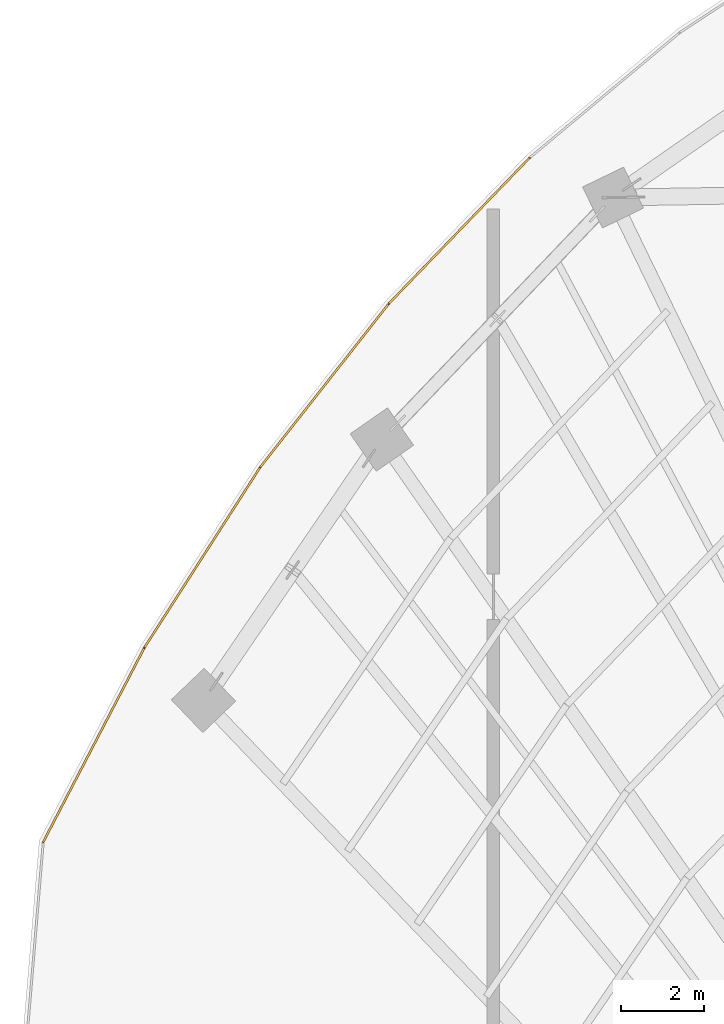
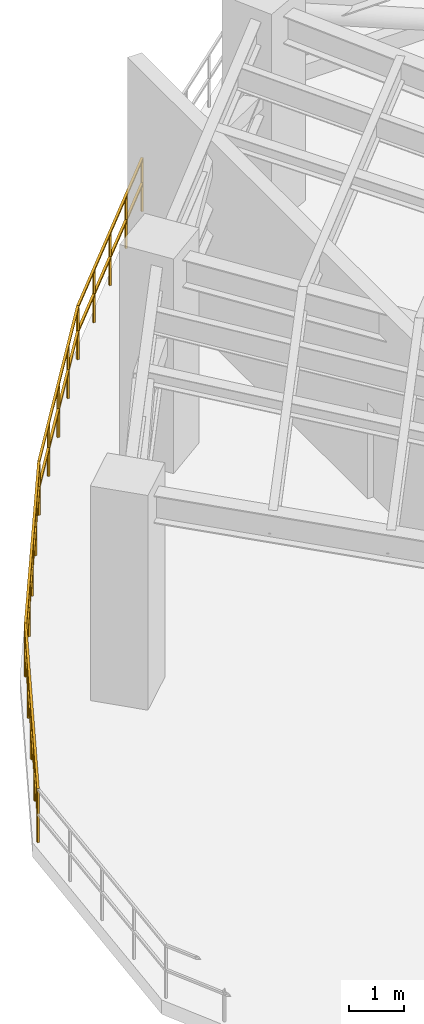
# One storey, part 12 of 19: 4 railings.
"""IFC4 building model written with IfcOpenShell, lengths in metres."""

from ifc_helpers import new_model, si_unit, direction, frame, origin, origin_2d, place, context, subcontext, project, spatial, rectangle, extrude, material, type_object, element, save


model = new_model("IFC4")

# Units and contexts
model_context = context("Model", 3, precision=1e-05, world=origin(), true_north=direction((0.0, 1.0)))
body_context = subcontext(model_context, "Body", "Model", "MODEL_VIEW")
ifc_project = project(units=[si_unit("LENGTHUNIT", "METRE"), si_unit("AREAUNIT", "SQUARE_METRE"), si_unit("VOLUMEUNIT", "CUBIC_METRE"), si_unit("PLANEANGLEUNIT", "RADIAN"), si_unit("MASSUNIT", "GRAM", prefix="KILO")], contexts=[model_context])

# Site, building, storey
site_placement = place(None, origin())
site = spatial("IfcSite", under=ifc_project, at=site_placement, CompositionType="ELEMENT")
building_placement = place(site_placement, origin())
building = spatial("IfcBuilding", under=site, at=building_placement, Name="Breltana Convention Tower", CompositionType="ELEMENT")
storey_placement = place(building_placement, frame((0.0, 0.0, 194.39990234375)))
storey = spatial("IfcBuildingStorey", under=building, at=storey_placement, Name="L47", CompositionType="ELEMENT", Elevation=194.39990234375)

# Railings
ifc_material = material(Name="Stainless Steel 316L", Category="steel")
railing_type = type_object("IfcRailingType", Name="RL-WIND-GUARD-1200", PredefinedType="BALUSTRADE", material=ifc_material)
railing_1_placement = place(storey_placement, frame((12.140869140625, 52.07958984375, 0.0)))
element("IfcRailing", 1, at=railing_1_placement, inside=storey, type_object=railing_type, Name="L47 perimeter balustrade 50", PredefinedType="BALUSTRADE", context=body_context, shape_type="SweptSolid", body=[
    extrude(rectangle(XDim=0.048095703125, YDim=0.048095703125, at=origin_2d()), frame((0.0, 0.0, 1.17578125), z_axis=(0.461753680918, 0.887008195091, 0.0), x_axis=(-0.887008195091, 0.461753680918, 0.0)), (0.0, 0.0, 1.0), 5.291015625),
    extrude(rectangle(XDim=0.048095703125, YDim=0.048095703125, at=origin_2d()), frame((0.0, 0.0, 0.6240234375), z_axis=(0.461753680918, 0.887008195091, 0.0), x_axis=(-0.887008195091, 0.461753680918, 0.0)), (0.0, 0.0, 1.0), 5.291015625),
    extrude(rectangle(XDim=0.0419921875, YDim=0.0419921875, at=origin_2d()), origin(), (0.0, 0.0, 1.0), 1.15185546875),
    extrude(rectangle(XDim=0.0419921875, YDim=0.0419921875, at=origin_2d()), frame((0.61083984375, 1.17333984375, 0.0)), (0.0, 0.0, 1.0), 1.15185546875),
    extrude(rectangle(XDim=0.0419921875, YDim=0.0419921875, at=origin_2d()), frame((1.2216796875, 2.3466796875, 0.0)), (0.0, 0.0, 1.0), 1.15185546875),
    extrude(rectangle(XDim=0.0419921875, YDim=0.0419921875, at=origin_2d()), frame((1.832275390625, 3.519775390625, 0.0)), (0.0, 0.0, 1.0), 1.15185546875),
    extrude(rectangle(XDim=0.0419921875, YDim=0.0419921875, at=origin_2d()), frame((2.443115234375, 4.693115234375, 0.0)), (0.0, 0.0, 1.0), 1.15185546875),
])
railing_2_placement = place(storey_placement, frame((14.583984375, 56.772705078125, 0.0)))
element("IfcRailing", 2, at=railing_2_placement, inside=storey, type_object=railing_type, Name="L47 perimeter balustrade 51", PredefinedType="BALUSTRADE", context=body_context, shape_type="SweptSolid", body=[
    extrude(rectangle(XDim=0.048095703125, YDim=0.048095703125, at=origin_2d()), frame((0.0, 0.0, 1.17578125), z_axis=(0.540198963589, 0.841537331161, 0.0), x_axis=(-0.841537331161, 0.540198963589, 0.0)), (0.0, 0.0, 1.0), 5.169921875),
    extrude(rectangle(XDim=0.048095703125, YDim=0.048095703125, at=origin_2d()), frame((0.0, 0.0, 0.6240234375), z_axis=(0.540198963589, 0.841537331161, 0.0), x_axis=(-0.841537331161, 0.540198963589, 0.0)), (0.0, 0.0, 1.0), 5.169921875),
    extrude(rectangle(XDim=0.0419921875, YDim=0.0419921875, at=origin_2d()), origin(), (0.0, 0.0, 1.0), 1.15185546875),
    extrude(rectangle(XDim=0.0419921875, YDim=0.0419921875, at=origin_2d()), frame((0.6982421875, 1.087646484375, 0.0)), (0.0, 0.0, 1.0), 1.15185546875),
    extrude(rectangle(XDim=0.0419921875, YDim=0.0419921875, at=origin_2d()), frame((1.396484375, 2.17529296875, 0.0)), (0.0, 0.0, 1.0), 1.15185546875),
    extrude(rectangle(XDim=0.0419921875, YDim=0.0419921875, at=origin_2d()), frame((2.094482421875, 3.262939453125, 0.0)), (0.0, 0.0, 1.0), 1.15185546875),
    extrude(rectangle(XDim=0.0419921875, YDim=0.0419921875, at=origin_2d()), frame((2.792724609375, 4.3505859375, 0.0)), (0.0, 0.0, 1.0), 1.15185546875),
])
railing_3_placement = place(storey_placement, frame((17.376708984375, 61.123291015625, 0.0)))
element("IfcRailing", 3, at=railing_3_placement, inside=storey, type_object=railing_type, Name="L47 perimeter balustrade 52", PredefinedType="BALUSTRADE", context=body_context, shape_type="SweptSolid", body=[
    extrude(rectangle(XDim=0.048095703125, YDim=0.048095703125, at=origin_2d()), frame((0.0, 0.0, 1.17578125), z_axis=(0.618143380073, 0.786065367302, 0.0), x_axis=(-0.786065367302, 0.618143380073, 0.0)), (0.0, 0.0, 1.0), 5.024658203125),
    extrude(rectangle(XDim=0.048095703125, YDim=0.048095703125, at=origin_2d()), frame((0.0, 0.0, 0.6240234375), z_axis=(0.618143380073, 0.786065367302, 0.0), x_axis=(-0.786065367302, 0.618143380073, 0.0)), (0.0, 0.0, 1.0), 5.024658203125),
    extrude(rectangle(XDim=0.0419921875, YDim=0.0419921875, at=origin_2d()), origin(), (0.0, 0.0, 1.0), 1.15185546875),
    extrude(rectangle(XDim=0.0419921875, YDim=0.0419921875, at=origin_2d()), frame((0.7763671875, 0.9873046875, 0.0)), (0.0, 0.0, 1.0), 1.15185546875),
    extrude(rectangle(XDim=0.0419921875, YDim=0.0419921875, at=origin_2d()), frame((1.552978515625, 1.974853515625, 0.0)), (0.0, 0.0, 1.0), 1.15185546875),
    extrude(rectangle(XDim=0.0419921875, YDim=0.0419921875, at=origin_2d()), frame((2.32958984375, 2.96240234375, 0.0)), (0.0, 0.0, 1.0), 1.15185546875),
    extrude(rectangle(XDim=0.0419921875, YDim=0.0419921875, at=origin_2d()), frame((3.10595703125, 3.94970703125, 0.0)), (0.0, 0.0, 1.0), 1.15185546875),
])
railing_4_placement = place(storey_placement, frame((20.482666015625, 65.072998046875, 0.0)))
element("IfcRailing", 4, at=railing_4_placement, inside=storey, type_object=railing_type, Name="L47 perimeter balustrade 53", PredefinedType="BALUSTRADE", context=body_context, shape_type="SweptSolid", body=[
    extrude(rectangle(XDim=0.048095703125, YDim=0.048095703125, at=origin_2d()), frame((0.0, 0.0, 1.17578125), z_axis=(0.694607022236, 0.7193893832, 0.0), x_axis=(-0.7193893832, 0.694607022236, 0.0)), (0.0, 0.0, 1.0), 4.87646484375),
    extrude(rectangle(XDim=0.048095703125, YDim=0.048095703125, at=origin_2d()), frame((0.0, 0.0, 0.6240234375), z_axis=(0.694607022236, 0.7193893832, 0.0), x_axis=(-0.7193893832, 0.694607022236, 0.0)), (0.0, 0.0, 1.0), 4.87646484375),
    extrude(rectangle(XDim=0.0419921875, YDim=0.0419921875, at=origin_2d()), origin(), (0.0, 0.0, 1.0), 1.15185546875),
    extrude(rectangle(XDim=0.0419921875, YDim=0.0419921875, at=origin_2d()), frame((0.8466796875, 0.876953125, 0.0)), (0.0, 0.0, 1.0), 1.15185546875),
    extrude(rectangle(XDim=0.0419921875, YDim=0.0419921875, at=origin_2d()), frame((1.693603515625, 1.75390625, 0.0)), (0.0, 0.0, 1.0), 1.15185546875),
    extrude(rectangle(XDim=0.0419921875, YDim=0.0419921875, at=origin_2d()), frame((2.54052734375, 2.631103515625, 0.0)), (0.0, 0.0, 1.0), 1.15185546875),
    extrude(rectangle(XDim=0.0419921875, YDim=0.0419921875, at=origin_2d()), frame((3.38720703125, 3.508056640625, 0.0)), (0.0, 0.0, 1.0), 1.15185546875),
])

save(model, "model.ifc")
